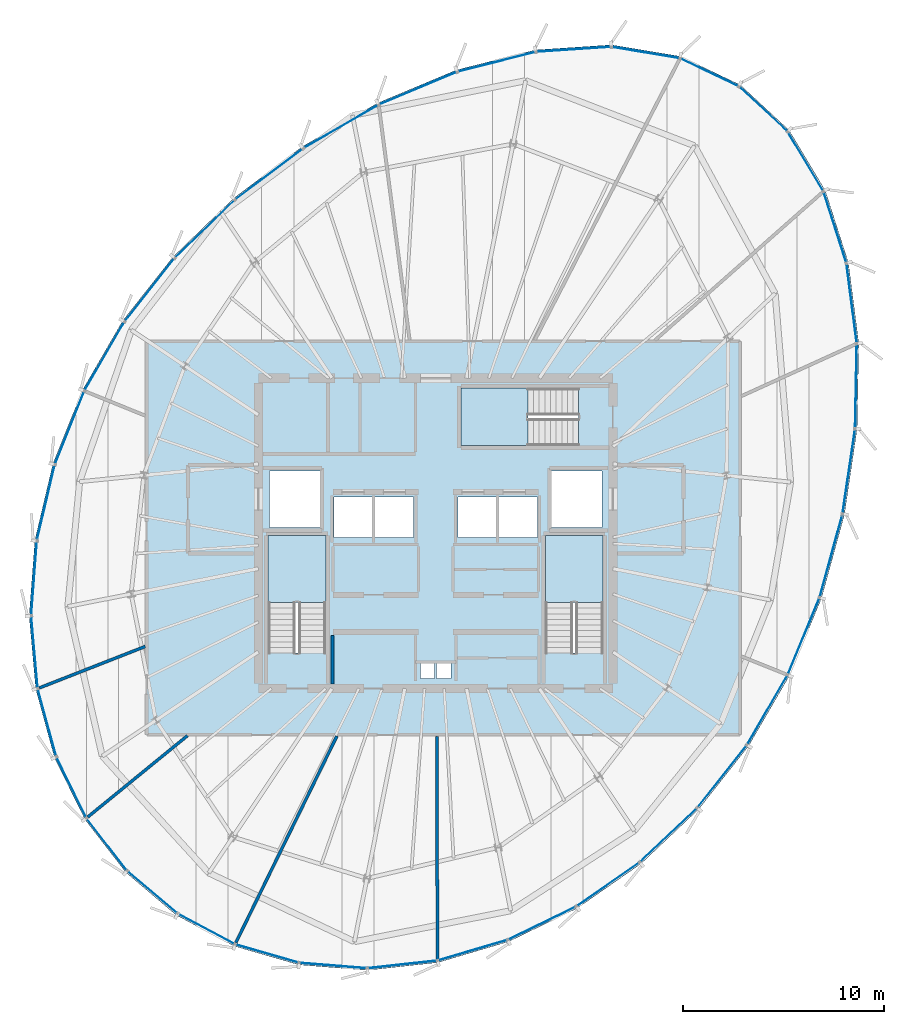
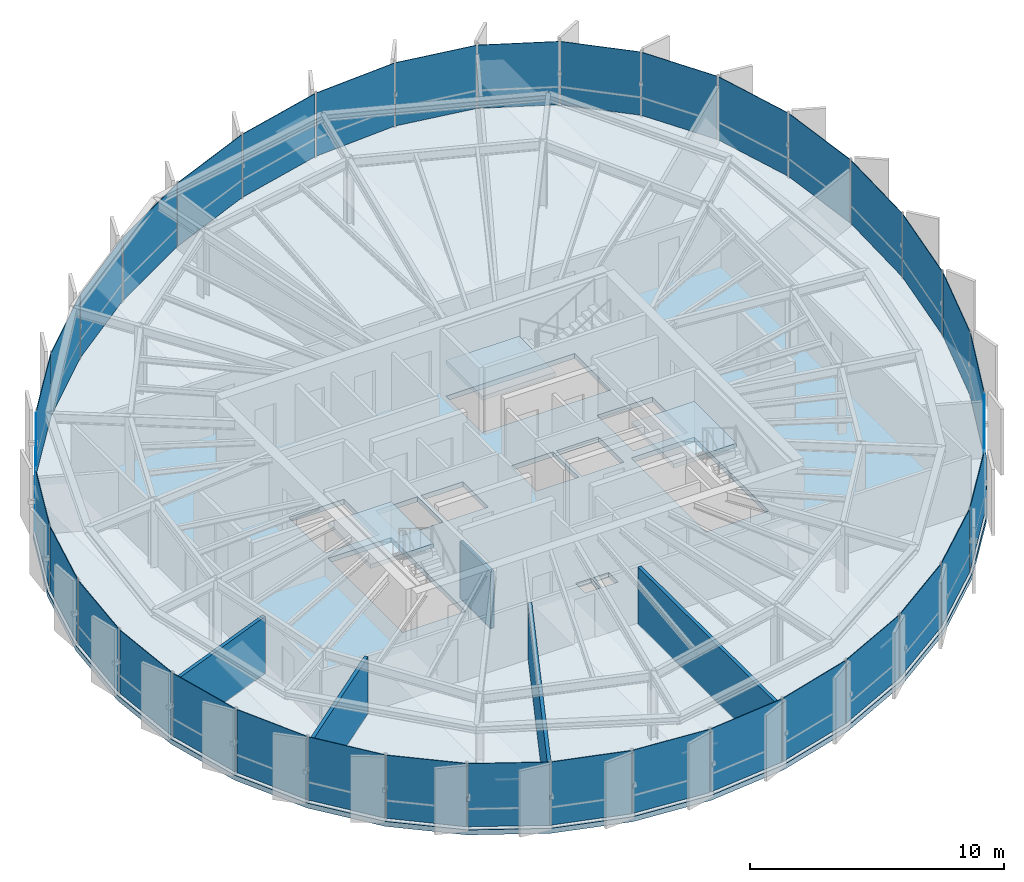
# One storey, part 27 of 34: 36 plates, 5 walls, 4 slabs, 9 elements without a shape of their own.
"""IFC4 building model written with IfcOpenShell, lengths in metres."""

from ifc_helpers import new_model, si_unit, direction, frame, frame_2d, origin, origin_2d, place, context, subcontext, project, spatial, polyline, rectangle, outline, extrude, source, transform, mapped, material, layer, layer_set, type_object, element, aggregate, save


model = new_model("IFC4")

# Units and contexts
model_context = context("Model", 3, precision=1e-05, world=origin(), true_north=direction((0.0, 1.0)))
body_context = subcontext(model_context, "Body", "Model", "MODEL_VIEW")
ifc_project = project(units=[si_unit("LENGTHUNIT", "METRE"), si_unit("AREAUNIT", "SQUARE_METRE"), si_unit("VOLUMEUNIT", "CUBIC_METRE"), si_unit("PLANEANGLEUNIT", "RADIAN"), si_unit("MASSUNIT", "GRAM", prefix="KILO"), si_unit("THERMODYNAMICTEMPERATUREUNIT", "KELVIN")], contexts=[model_context])

# Site, building, storey
site_placement = place(None, origin())
site = spatial("IfcSite", under=ifc_project, at=site_placement, CompositionType="ELEMENT")
building_placement = place(site_placement, origin())
building = spatial("IfcBuilding", under=site, at=building_placement, Name="Kethvar Cultural Tower", CompositionType="ELEMENT")
storey_placement = place(building_placement, frame((0.0, 0.0, 259.449951171875)))
storey = spatial("IfcBuildingStorey", under=building, at=storey_placement, Name="L68", CompositionType="ELEMENT", Elevation=259.449951171875)

# Stair, slab
ifc_material_1 = material(Name="Concrete C40/50", Category="concrete")
stair_type = type_object("IfcStairType", Name="ST-DOGLEG-135", PredefinedType="HALF_TURN_STAIR", material=ifc_material_1)
stair_1_placement = place(storey_placement, origin())
stair_1 = element("IfcStair", 1, at=stair_1_placement, inside=storey, type_object=stair_type, Name="L68 Core Exit Stair 1", PredefinedType="HALF_TURN_STAIR")
ifc_layer_1 = layer(ifc_material_1, 0.199951171875, Name="Concrete C40/50", Category="concrete")
ifc_layer_set_1 = layer_set([ifc_layer_1], Name="Concrete C40/50 (200 mm)")
slab_type_1 = type_object("IfcSlabType", Name="SL-STAIR-LANDING-200", PredefinedType="LANDING", material=ifc_layer_set_1)
slab_1_placement = place(storey_placement, frame((0.0, 0.0, 1.525146484375)))
slab_1 = element("IfcSlab", 2, at=slab_1_placement, type_object=slab_type_1, Name="ST-01 landing 1", PredefinedType="LANDING", context=body_context, shape_type="SweptSolid", body=[
    extrude(outline(polyline([(41.35009765625, 24.3701171875), (41.35009765625, 27.699951171875), (38.489990234375, 27.699951171875), (38.489990234375, 24.3701171875), (41.35009765625, 24.3701171875)])), origin(), (0.0, 0.0, 1.0), 0.199951171875),
])
aggregate(stair_1, [slab_1])

stair_2_placement = place(storey_placement, origin())
stair_2 = element("IfcStair", 3, at=stair_2_placement, inside=storey, type_object=stair_type, Name="L68 Core Exit Stair 2", PredefinedType="HALF_TURN_STAIR")
slab_2_placement = place(storey_placement, frame((0.0, 0.0, 1.525146484375)))
slab_2 = element("IfcSlab", 4, at=slab_2_placement, type_object=slab_type_1, Name="ST-02 landing 1", PredefinedType="LANDING", context=body_context, shape_type="SweptSolid", body=[
    extrude(outline(polyline([(55.110107421875, 24.3701171875), (55.110107421875, 27.699951171875), (52.25, 27.699951171875), (52.25, 24.3701171875), (55.110107421875, 24.3701171875)])), origin(), (0.0, 0.0, 1.0), 0.199951171875),
])
aggregate(stair_2, [slab_2])

stair_3_placement = place(storey_placement, origin())
stair_3 = element("IfcStair", 5, at=stair_3_placement, inside=storey, type_object=stair_type, Name="L68 Core Exit Stair 3", PredefinedType="HALF_TURN_STAIR")
slab_3_placement = place(storey_placement, frame((0.0, 0.0, 1.525146484375)))
slab_3 = element("IfcSlab", 6, at=slab_3_placement, type_object=slab_type_1, Name="ST-03 landing 1", PredefinedType="LANDING", context=body_context, shape_type="SweptSolid", body=[
    extrude(outline(polyline([(51.3798828125, 35.010009765625), (48.050048828125, 35.010009765625), (48.050048828125, 32.14990234375), (51.3798828125, 32.14990234375), (51.3798828125, 35.010009765625)])), origin(), (0.0, 0.0, 1.0), 0.199951171875),
])
aggregate(stair_3, [slab_3])

# Slab
ifc_layer_2 = layer(ifc_material_1, 0.239990234375, Name="Concrete C40/50", Category="concrete")
ifc_layer_set_2 = layer_set([ifc_layer_2], Name="Concrete C40/50 (240 mm)")
slab_type_2 = type_object("IfcSlabType", Name="SL-TOW-240", PredefinedType="FLOOR", material=ifc_layer_set_2)
slab_4_placement = place(storey_placement, frame((0.0, 0.0, -0.239990234375)))
element("IfcSlab", 7, at=slab_4_placement, inside=storey, type_object=slab_type_2, Name="L68 Structural Floor Slab", PredefinedType="FLOOR", context=body_context, shape_type="SweptSolid", body=[
    extrude(outline(polyline([(61.92724609375, 50.05908203125), (58.949462890625, 51.480224609375), (55.51318359375, 52.050537109375), (51.7548828125, 51.7998046875), (47.834716796875, 50.802734375), (43.92236328125, 49.164794921875), (40.182861328125, 47.00341796875), (36.76025390625, 44.428955078125), (33.765380859375, 41.52978515625), (31.2646484375, 38.35791015625), (29.264404296875, 34.906494140625), (27.796875, 31.239501953125), (26.906494140625, 27.468017578125), (26.620849609375, 23.70654296875), (26.9482421875, 20.0693359375), (27.87890625, 16.6669921875), (29.384521484375, 13.603271484375), (31.419189453125, 10.970703125), (33.921142578125, 8.849365234375), (36.814453125, 7.303955078125), (40.01123046875, 6.381103515625), (43.414306640625, 6.109375), (46.920166015625, 6.49658203125), (50.42236328125, 7.531005859375), (53.814453125, 9.181396484375), (56.99365234375, 11.3974609375), (59.86279296875, 14.11181640625), (62.335205078125, 17.2421875), (64.364013671875, 20.73486328125), (65.95703125, 24.5869140625), (67.0908203125, 28.716796875), (67.723876953125, 32.989501953125), (67.806396484375, 37.229736328125), (67.290283203125, 41.241943359375), (66.14013671875, 44.82861328125), (64.3447265625, 47.8134765625), (61.92724609375, 50.05908203125)]), holes=[polyline([(38.489990234375, 21.85009765625), (38.489990234375, 27.699951171875), (41.35009765625, 27.699951171875), (41.35009765625, 21.85009765625), (38.489990234375, 21.85009765625)]), polyline([(52.25, 21.85009765625), (52.25, 27.699951171875), (55.110107421875, 27.699951171875), (55.110107421875, 21.85009765625), (52.25, 21.85009765625)]), polyline([(53.89990234375, 32.14990234375), (48.050048828125, 32.14990234375), (48.050048828125, 35.010009765625), (53.89990234375, 35.010009765625), (53.89990234375, 32.14990234375)]), polyline([(41.75, 29.60009765625), (43.64990234375, 29.60009765625), (43.64990234375, 27.60009765625), (41.75, 27.60009765625), (41.75, 29.60009765625)]), polyline([(43.800048828125, 29.60009765625), (45.699951171875, 29.60009765625), (45.699951171875, 27.60009765625), (43.800048828125, 27.60009765625), (43.800048828125, 29.60009765625)]), polyline([(47.89990234375, 29.60009765625), (49.800048828125, 29.60009765625), (49.800048828125, 27.60009765625), (47.89990234375, 27.60009765625), (47.89990234375, 29.60009765625)]), polyline([(49.949951171875, 29.60009765625), (51.85009765625, 29.60009765625), (51.85009765625, 27.60009765625), (49.949951171875, 27.60009765625), (49.949951171875, 29.60009765625)]), polyline([(38.550048828125, 30.89990234375), (41.050048828125, 30.89990234375), (41.050048828125, 28.10009765625), (38.550048828125, 28.10009765625), (38.550048828125, 30.89990234375)]), polyline([(52.550048828125, 30.89990234375), (55.050048828125, 30.89990234375), (55.050048828125, 28.10009765625), (52.550048828125, 28.10009765625), (52.550048828125, 30.89990234375)]), polyline([(46.050048828125, 21.35009765625), (46.75, 21.35009765625), (46.75, 20.60009765625), (46.050048828125, 20.60009765625), (46.050048828125, 21.35009765625)]), polyline([(46.85009765625, 21.35009765625), (47.550048828125, 21.35009765625), (47.550048828125, 20.60009765625), (46.85009765625, 20.60009765625), (46.85009765625, 21.35009765625)])]), origin(), (0.0, 0.0, 1.0), 0.239990234375),
])

# Curtain wall, plate
ifc_material_2 = material(Name="Aluminium 6063-T6", Category="aluminium")
ifc_layer_3 = layer(ifc_material_2, 0.179931640625, Name="Aluminium 6063-T6", Category="aluminium")
ifc_layer_set_3 = layer_set([ifc_layer_3], Name="Aluminium 6063-T6 (180 mm)")
curtain_wall_type = type_object("IfcCurtainWallType", Name="CW-SYS-05-Z56", PredefinedType="NOTDEFINED", material=ifc_layer_set_3)
curtain_wall_1_placement = place(storey_placement, origin())
curtain_wall_1 = element("IfcCurtainWall", 8, at=curtain_wall_1_placement, inside=storey, type_object=curtain_wall_type, Name="L68 Curtain Wall Run 01", PredefinedType="NOTDEFINED")
ifc_material_3 = material(Name="Insulated Low-E Solar Glass", Category="glass")
ifc_layer_4 = layer(ifc_material_3, 0.028076171875, Name="Insulated Low-E Solar Glass", Category="glass")
ifc_layer_set_4 = layer_set([ifc_layer_4], Name="Insulated Low-E Solar Glass (28 mm)")
plate_type = type_object("IfcPlateType", Name="CW-SYS-05-Z56-PNL", PredefinedType="CURTAIN_PANEL", material=ifc_layer_set_4)
shared_shape_1 = source(origin(), body_context, "Body", "SweptSolid", [
    extrude(rectangle(XDim=3.22021484375, YDim=0.028076171875, at=origin_2d()), origin(), (0.0, 0.0, 1.0), 3.030029296875),
])
plate_1_placement = place(storey_placement, frame((60.395263671875, 50.67919921875, 0.08984375), z_axis=(0.0, 0.0, 1.0), x_axis=(-0.902480063701, 0.430731627144, 0.0)))
plate_1 = element("IfcPlate", 9, at=plate_1_placement, type_object=plate_type, Name="CW-L68-R01 Vision Glazing Panel 1", PredefinedType="CURTAIN_PANEL", context=body_context, shape_type="MappedRepresentation", body=[
    mapped(shared_shape_1, transform((0.0, 0.0, 0.0), scale=1.0)),
])

curtain_wall_2_placement = place(storey_placement, origin())
curtain_wall_2 = element("IfcCurtainWall", 10, at=curtain_wall_2_placement, inside=storey, type_object=curtain_wall_type, Name="L68 Curtain Wall Run 06", PredefinedType="NOTDEFINED")
plate_2_placement = place(storey_placement, frame((63.06787109375, 48.863037109375, 0.08984375), z_axis=(0.0, 0.0, 1.0), x_axis=(-0.732709208404, 0.680541854643, 0.0)))
plate_2 = element("IfcPlate", 11, at=plate_2_placement, type_object=plate_type, Name="CW-L68-R06 Vision Glazing Panel 6", PredefinedType="CURTAIN_PANEL", context=body_context, shape_type="MappedRepresentation", body=[
    mapped(shared_shape_1, transform((0.0, 0.0, 0.0), scale=1.0)),
])

# Plate
shared_shape_2 = source(origin(), body_context, "Body", "SweptSolid", [
    extrude(rectangle(XDim=3.404052734375, YDim=0.028076171875, at=origin_2d()), origin(), (0.0, 0.0, 1.0), 3.030029296875),
])
plate_3_placement = place(storey_placement, frame((57.215087890625, 51.666748046875, 0.08984375), z_axis=(0.0, 0.0, 1.0), x_axis=(-0.9865008033, 0.163756419994, 0.0)))
plate_3 = element("IfcPlate", 12, at=plate_3_placement, type_object=plate_type, Name="CW-L68-R01 Vision Glazing Panel 2", PredefinedType="CURTAIN_PANEL", context=body_context, shape_type="MappedRepresentation", body=[
    mapped(shared_shape_2, transform((0.0, 0.0, 0.0), scale=1.0)),
])

shared_shape_3 = source(origin(), body_context, "Body", "SweptSolid", [
    extrude(rectangle(XDim=3.6875, YDim=0.028076171875, at=origin_2d()), origin(), (0.0, 0.0, 1.0), 3.030029296875),
])
plate_4_placement = place(storey_placement, frame((53.640869140625, 51.825439453125, 0.08984375), z_axis=(0.0, 0.0, 1.0), x_axis=(-0.997779436172, -0.066604780247, 0.0)))
plate_4 = element("IfcPlate", 13, at=plate_4_placement, type_object=plate_type, Name="CW-L68-R01 Vision Glazing Panel 3", PredefinedType="CURTAIN_PANEL", context=body_context, shape_type="MappedRepresentation", body=[
    mapped(shared_shape_3, transform((0.0, 0.0, 0.0), scale=1.0)),
])

plate_5_placement = place(storey_placement, frame((66.6201171875, 43.0048828125, 0.08984375), z_axis=(0.0, 0.0, 1.0), x_axis=(-0.30536293049, 0.952236042525, 0.0)))
plate_5 = element("IfcPlate", 14, at=plate_5_placement, type_object=plate_type, Name="CW-L68-R06 Vision Glazing Panel 4", PredefinedType="CURTAIN_PANEL", context=body_context, shape_type="MappedRepresentation", body=[
    mapped(shared_shape_3, transform((0.0, 0.0, 0.0), scale=1.0)),
])

shared_shape_4 = source(origin(), body_context, "Body", "SweptSolid", [
    extrude(rectangle(XDim=3.966064453125, YDim=0.028076171875, at=origin_2d()), origin(), (0.0, 0.0, 1.0), 3.030029296875),
])
plate_6_placement = place(storey_placement, frame((49.819580078125, 51.204345703125, 0.08984375), z_axis=(0.0, 0.0, 1.0), x_axis=(-0.969149228893, -0.24647468863, 0.0)))
plate_6 = element("IfcPlate", 15, at=plate_6_placement, type_object=plate_type, Name="CW-L68-R01 Vision Glazing Panel 4", PredefinedType="CURTAIN_PANEL", context=body_context, shape_type="MappedRepresentation", body=[
    mapped(shared_shape_4, transform((0.0, 0.0, 0.0), scale=1.0)),
])

plate_7_placement = place(storey_placement, frame((67.44921875, 39.22314453125, 0.08984375), z_axis=(0.0, 0.0, 1.0), x_axis=(-0.127583945876, 0.991827775753, 0.0)))
plate_7 = element("IfcPlate", 16, at=plate_7_placement, type_object=plate_type, Name="CW-L68-R06 Vision Glazing Panel 3", PredefinedType="CURTAIN_PANEL", context=body_context, shape_type="MappedRepresentation", body=[
    mapped(shared_shape_4, transform((0.0, 0.0, 0.0), scale=1.0)),
])

shared_shape_5 = source(origin(), body_context, "Body", "SweptSolid", [
    extrude(rectangle(XDim=4.162109375, YDim=0.028076171875, at=origin_2d()), origin(), (0.0, 0.0, 1.0), 3.030029296875),
])
plate_8_placement = place(storey_placement, frame((45.9169921875, 49.8916015625, 0.08984375), z_axis=(0.0, 0.0, 1.0), x_axis=(-0.92243028819, -0.386163648508, 0.0)))
plate_8 = element("IfcPlate", 17, at=plate_8_placement, type_object=plate_type, Name="CW-L68-R01 Vision Glazing Panel 5", PredefinedType="CURTAIN_PANEL", context=body_context, shape_type="MappedRepresentation", body=[
    mapped(shared_shape_5, transform((0.0, 0.0, 0.0), scale=1.0)),
])

plate_9_placement = place(storey_placement, frame((67.665283203125, 35.111572265625, 0.08984375), z_axis=(0.0, 0.0, 1.0), x_axis=(0.01945919288, 0.99981065198, 0.0)))
plate_9 = element("IfcPlate", 18, at=plate_9_placement, type_object=plate_type, Name="CW-L68-R06 Vision Glazing Panel 2", PredefinedType="CURTAIN_PANEL", context=body_context, shape_type="MappedRepresentation", body=[
    mapped(shared_shape_5, transform((0.0, 0.0, 0.0), scale=1.0)),
])

shared_shape_6 = source(origin(), body_context, "Body", "SweptSolid", [
    extrude(rectangle(XDim=4.239990234375, YDim=0.028076171875, at=origin_2d()), origin(), (0.0, 0.0, 1.0), 3.030029296875),
])
plate_10_placement = place(storey_placement, frame((42.102783203125, 47.99755859375, 0.08984375), z_axis=(0.0, 0.0, 1.0), x_axis=(-0.865780954287, -0.50042316013, 0.0)))
plate_10 = element("IfcPlate", 19, at=plate_10_placement, type_object=plate_type, Name="CW-L68-R01 Vision Glazing Panel 6", PredefinedType="CURTAIN_PANEL", context=body_context, shape_type="MappedRepresentation", body=[
    mapped(shared_shape_6, transform((0.0, 0.0, 0.0), scale=1.0)),
])

aggregate(curtain_wall_1, [plate_1, plate_3, plate_4, plate_6, plate_8, plate_10])

plate_11_placement = place(storey_placement, frame((67.308349609375, 30.867919921875, 0.08984375), z_axis=(0.0, 0.0, 1.0), x_axis=(0.146583725552, 0.989198266984, 0.0)))
plate_11 = element("IfcPlate", 20, at=plate_11_placement, type_object=plate_type, Name="CW-L68-R06 Vision Glazing Panel 1", PredefinedType="CURTAIN_PANEL", context=body_context, shape_type="MappedRepresentation", body=[
    mapped(shared_shape_6, transform((0.0, 0.0, 0.0), scale=1.0)),
])

# Curtain wall, plate
curtain_wall_3_placement = place(storey_placement, origin())
curtain_wall_3 = element("IfcCurtainWall", 21, at=curtain_wall_3_placement, inside=storey, type_object=curtain_wall_type, Name="L68 Curtain Wall Run 02", PredefinedType="NOTDEFINED")
shared_shape_7 = source(origin(), body_context, "Body", "SweptSolid", [
    extrude(rectangle(XDim=4.20361328125, YDim=0.028076171875, at=origin_2d()), origin(), (0.0, 0.0, 1.0), 3.030029296875),
])
plate_12_placement = place(storey_placement, frame((38.53173828125, 45.63623046875, 0.08984375), z_axis=(0.0, 0.0, 1.0), x_axis=(-0.799139405107, -0.601145748721, 0.0)))
plate_12 = element("IfcPlate", 22, at=plate_12_placement, type_object=plate_type, Name="CW-L68-R02 Vision Glazing Panel 1", PredefinedType="CURTAIN_PANEL", context=body_context, shape_type="MappedRepresentation", body=[
    mapped(shared_shape_7, transform((0.0, 0.0, 0.0), scale=1.0)),
])

curtain_wall_4_placement = place(storey_placement, origin())
curtain_wall_4 = element("IfcCurtainWall", 23, at=curtain_wall_4_placement, inside=storey, type_object=curtain_wall_type, Name="L68 Curtain Wall Run 05", PredefinedType="NOTDEFINED")
plate_13_placement = place(storey_placement, frame((66.427490234375, 26.678466796875, 0.08984375), z_axis=(0.0, 0.0, 1.0), x_axis=(0.264731515159, 0.964322158245, 0.0)))
plate_13 = element("IfcPlate", 24, at=plate_13_placement, type_object=plate_type, Name="CW-L68-R05 Vision Glazing Panel 6", PredefinedType="CURTAIN_PANEL", context=body_context, shape_type="MappedRepresentation", body=[
    mapped(shared_shape_7, transform((0.0, 0.0, 0.0), scale=1.0)),
])

# Plate
shared_shape_8 = source(origin(), body_context, "Body", "SweptSolid", [
    extrude(rectangle(XDim=4.089111328125, YDim=0.028076171875, at=origin_2d()), origin(), (0.0, 0.0, 1.0), 3.030029296875),
])
plate_14_placement = place(storey_placement, frame((35.33251953125, 42.907470703125, 0.08984375), z_axis=(0.0, 0.0, 1.0), x_axis=(-0.718490578396, -0.695536691165, 0.0)))
plate_14 = element("IfcPlate", 25, at=plate_14_placement, type_object=plate_type, Name="CW-L68-R02 Vision Glazing Panel 2", PredefinedType="CURTAIN_PANEL", context=body_context, shape_type="MappedRepresentation", body=[
    mapped(shared_shape_8, transform((0.0, 0.0, 0.0), scale=1.0)),
])

plate_15_placement = place(storey_placement, frame((65.068115234375, 22.698974609375, 0.08984375), z_axis=(0.0, 0.0, 1.0), x_axis=(0.382183509445, 0.924086448937, 0.0)))
plate_15 = element("IfcPlate", 26, at=plate_15_placement, type_object=plate_type, Name="CW-L68-R05 Vision Glazing Panel 5", PredefinedType="CURTAIN_PANEL", context=body_context, shape_type="MappedRepresentation", body=[
    mapped(shared_shape_8, transform((0.0, 0.0, 0.0), scale=1.0)),
])

shared_shape_9 = source(origin(), body_context, "Body", "SweptSolid", [
    extrude(rectangle(XDim=3.9599609375, YDim=0.028076171875, at=origin_2d()), origin(), (0.0, 0.0, 1.0), 3.030029296875),
])
plate_16_placement = place(storey_placement, frame((32.593505859375, 39.8818359375, 0.08984375), z_axis=(0.0, 0.0, 1.0), x_axis=(-0.619121361665, -0.785295319947, 0.0)))
plate_16 = element("IfcPlate", 27, at=plate_16_placement, type_object=plate_type, Name="CW-L68-R02 Vision Glazing Panel 3", PredefinedType="CURTAIN_PANEL", context=body_context, shape_type="MappedRepresentation", body=[
    mapped(shared_shape_9, transform((0.0, 0.0, 0.0), scale=1.0)),
])

plate_17_placement = place(storey_placement, frame((63.26318359375, 19.038818359375, 0.08984375), z_axis=(0.0, 0.0, 1.0), x_axis=(0.50225044097, 0.864722206576, 0.0)))
plate_17 = element("IfcPlate", 28, at=plate_17_placement, type_object=plate_type, Name="CW-L68-R05 Vision Glazing Panel 4", PredefinedType="CURTAIN_PANEL", context=body_context, shape_type="MappedRepresentation", body=[
    mapped(shared_shape_9, transform((0.0, 0.0, 0.0), scale=1.0)),
])

shared_shape_10 = source(origin(), body_context, "Body", "SweptSolid", [
    extrude(rectangle(XDim=3.909912109375, YDim=0.028076171875, at=origin_2d()), origin(), (0.0, 0.0, 1.0), 3.030029296875),
])
plate_18_placement = place(storey_placement, frame((30.35107421875, 36.58203125, 0.08984375), z_axis=(0.0, 0.0, 1.0), x_axis=(-0.501480537372, -0.86516892607, 0.0)))
plate_18 = element("IfcPlate", 29, at=plate_18_placement, type_object=plate_type, Name="CW-L68-R02 Vision Glazing Panel 4", PredefinedType="CURTAIN_PANEL", context=body_context, shape_type="MappedRepresentation", body=[
    mapped(shared_shape_10, transform((0.0, 0.0, 0.0), scale=1.0)),
])

shared_shape_11 = source(origin(), body_context, "Body", "SweptSolid", [
    extrude(rectangle(XDim=3.87060546875, YDim=0.028076171875, at=origin_2d()), origin(), (0.0, 0.0, 1.0), 3.030029296875),
])
plate_19_placement = place(storey_placement, frame((28.623291015625, 33.035888671875, 0.08984375), z_axis=(0.0, 0.0, 1.0), x_axis=(-0.371529881241, -0.928420996825, 0.0)))
plate_19 = element("IfcPlate", 30, at=plate_19_placement, type_object=plate_type, Name="CW-L68-R02 Vision Glazing Panel 5", PredefinedType="CURTAIN_PANEL", context=body_context, shape_type="MappedRepresentation", body=[
    mapped(shared_shape_11, transform((0.0, 0.0, 0.0), scale=1.0)),
])

plate_20_placement = place(storey_placement, frame((58.359619140625, 12.827392578125, 0.08984375), z_axis=(0.0, 0.0, 1.0), x_axis=(0.726430751765, 0.687239669177, 0.0)))
plate_20 = element("IfcPlate", 31, at=plate_20_placement, type_object=plate_type, Name="CW-L68-R05 Vision Glazing Panel 2", PredefinedType="CURTAIN_PANEL", context=body_context, shape_type="MappedRepresentation", body=[
    mapped(shared_shape_11, transform((0.0, 0.0, 0.0), scale=1.0)),
])

shared_shape_12 = source(origin(), body_context, "Body", "SweptSolid", [
    extrude(rectangle(XDim=3.7958984375, YDim=0.028076171875, at=origin_2d()), origin(), (0.0, 0.0, 1.0), 3.030029296875),
])
plate_21_placement = place(storey_placement, frame((27.448974609375, 29.330810546875, 0.08984375), z_axis=(0.0, 0.0, 1.0), x_axis=(-0.22972700621, -0.973255106649, 0.0)))
plate_21 = element("IfcPlate", 32, at=plate_21_placement, type_object=plate_type, Name="CW-L68-R02 Vision Glazing Panel 6", PredefinedType="CURTAIN_PANEL", context=body_context, shape_type="MappedRepresentation", body=[
    mapped(shared_shape_12, transform((0.0, 0.0, 0.0), scale=1.0)),
])

aggregate(curtain_wall_3, [plate_12, plate_14, plate_16, plate_18, plate_19, plate_21])

plate_22_placement = place(storey_placement, frame((55.346923828125, 10.371337890625, 0.08984375), z_axis=(0.0, 0.0, 1.0), x_axis=(0.820361523196, 0.57184523366, 0.0)))
plate_22 = element("IfcPlate", 33, at=plate_22_placement, type_object=plate_type, Name="CW-L68-R05 Vision Glazing Panel 1", PredefinedType="CURTAIN_PANEL", context=body_context, shape_type="MappedRepresentation", body=[
    mapped(shared_shape_12, transform((0.0, 0.0, 0.0), scale=1.0)),
])

# Curtain wall, plate
curtain_wall_5_placement = place(storey_placement, origin())
curtain_wall_5 = element("IfcCurtainWall", 34, at=curtain_wall_5_placement, inside=storey, type_object=curtain_wall_type, Name="L68 Curtain Wall Run 03", PredefinedType="NOTDEFINED")
shared_shape_13 = source(origin(), body_context, "Body", "SweptSolid", [
    extrude(rectangle(XDim=3.693115234375, YDim=0.028076171875, at=origin_2d()), origin(), (0.0, 0.0, 1.0), 3.030029296875),
])
plate_23_placement = place(storey_placement, frame((26.863525390625, 25.57958984375, 0.08984375), z_axis=(0.0, 0.0, 1.0), x_axis=(-0.075727084685, -0.997128581801, 0.0)))
plate_23 = element("IfcPlate", 35, at=plate_23_placement, type_object=plate_type, Name="CW-L68-R03 Vision Glazing Panel 1", PredefinedType="CURTAIN_PANEL", context=body_context, shape_type="MappedRepresentation", body=[
    mapped(shared_shape_13, transform((0.0, 0.0, 0.0), scale=1.0)),
])

curtain_wall_6_placement = place(storey_placement, origin())
curtain_wall_6 = element("IfcCurtainWall", 36, at=curtain_wall_6_placement, inside=storey, type_object=curtain_wall_type, Name="L68 Curtain Wall Run 04", PredefinedType="NOTDEFINED")
plate_24_placement = place(storey_placement, frame((52.07470703125, 8.446044921875, 0.08984375), z_axis=(0.0, 0.0, 1.0), x_axis=(0.899222074043, 0.437492470283, 0.0)))
plate_24 = element("IfcPlate", 37, at=plate_24_placement, type_object=plate_type, Name="CW-L68-R04 Vision Glazing Panel 6", PredefinedType="CURTAIN_PANEL", context=body_context, shape_type="MappedRepresentation", body=[
    mapped(shared_shape_13, transform((0.0, 0.0, 0.0), scale=1.0)),
])

# Plate
shared_shape_14 = source(origin(), body_context, "Body", "SweptSolid", [
    extrude(rectangle(XDim=3.57275390625, YDim=0.028076171875, at=origin_2d()), origin(), (0.0, 0.0, 1.0), 3.030029296875),
])
plate_25_placement = place(storey_placement, frame((26.884033203125, 21.89697265625, 0.08984375), z_axis=(0.0, 0.0, 1.0), x_axis=(0.089659175206, -0.995972505796, 0.0)))
plate_25 = element("IfcPlate", 38, at=plate_25_placement, type_object=plate_type, Name="CW-L68-R03 Vision Glazing Panel 2", PredefinedType="CURTAIN_PANEL", context=body_context, shape_type="MappedRepresentation", body=[
    mapped(shared_shape_14, transform((0.0, 0.0, 0.0), scale=1.0)),
])

plate_26_placement = place(storey_placement, frame((48.642822265625, 7.109619140625, 0.08984375), z_axis=(0.0, 0.0, 1.0), x_axis=(0.959037560247, 0.283278940331, 0.0)))
plate_26 = element("IfcPlate", 39, at=plate_26_placement, type_object=plate_type, Name="CW-L68-R04 Vision Glazing Panel 5", PredefinedType="CURTAIN_PANEL", context=body_context, shape_type="MappedRepresentation", body=[
    mapped(shared_shape_14, transform((0.0, 0.0, 0.0), scale=1.0)),
])

shared_shape_15 = source(origin(), body_context, "Body", "SweptSolid", [
    extrude(rectangle(XDim=3.447998046875, YDim=0.028076171875, at=origin_2d()), origin(), (0.0, 0.0, 1.0), 3.030029296875),
])
plate_27_placement = place(storey_placement, frame((27.510009765625, 18.39453125, 0.08984375), z_axis=(0.0, 0.0, 1.0), x_axis=(0.263839380399, -0.964566628777, 0.0)))
plate_27 = element("IfcPlate", 40, at=plate_27_placement, type_object=plate_type, Name="CW-L68-R03 Vision Glazing Panel 3", PredefinedType="CURTAIN_PANEL", context=body_context, shape_type="MappedRepresentation", body=[
    mapped(shared_shape_15, transform((0.0, 0.0, 0.0), scale=1.0)),
])

plate_28_placement = place(storey_placement, frame((45.15625, 6.40234375, 0.08984375), z_axis=(0.0, 0.0, 1.0), x_axis=(0.9939571244, 0.109769006807, 0.0)))
plate_28 = element("IfcPlate", 41, at=plate_28_placement, type_object=plate_type, Name="CW-L68-R04 Vision Glazing Panel 4", PredefinedType="CURTAIN_PANEL", context=body_context, shape_type="MappedRepresentation", body=[
    mapped(shared_shape_15, transform((0.0, 0.0, 0.0), scale=1.0)),
])

shared_shape_16 = source(origin(), body_context, "Body", "SweptSolid", [
    extrude(rectangle(XDim=3.334716796875, YDim=0.028076171875, at=origin_2d()), origin(), (0.0, 0.0, 1.0), 3.030029296875),
])
plate_29_placement = place(storey_placement, frame((28.721435546875, 15.17919921875, 0.08984375), z_axis=(0.0, 0.0, 1.0), x_axis=(0.441004660349, -0.897504813107, 0.0)))
plate_29 = element("IfcPlate", 42, at=plate_29_placement, type_object=plate_type, Name="CW-L68-R03 Vision Glazing Panel 4", PredefinedType="CURTAIN_PANEL", context=body_context, shape_type="MappedRepresentation", body=[
    mapped(shared_shape_16, transform((0.0, 0.0, 0.0), scale=1.0)),
])

plate_30_placement = place(storey_placement, frame((41.720703125, 6.344970703125, 0.08984375), z_axis=(0.0, 0.0, 1.0), x_axis=(0.996823514521, -0.079642205503, 0.0)))
plate_30 = element("IfcPlate", 43, at=plate_30_placement, type_object=plate_type, Name="CW-L68-R04 Vision Glazing Panel 3", PredefinedType="CURTAIN_PANEL", context=body_context, shape_type="MappedRepresentation", body=[
    mapped(shared_shape_16, transform((0.0, 0.0, 0.0), scale=1.0)),
])

shared_shape_17 = source(origin(), body_context, "Body", "SweptSolid", [
    extrude(rectangle(XDim=3.248046875, YDim=0.028076171875, at=origin_2d()), origin(), (0.0, 0.0, 1.0), 3.030029296875),
])
plate_31_placement = place(storey_placement, frame((30.48095703125, 12.34814453125, 0.08984375), z_axis=(0.0, 0.0, 1.0), x_axis=(0.611527040186, -0.791223532967, 0.0)))
plate_31 = element("IfcPlate", 44, at=plate_31_placement, type_object=plate_type, Name="CW-L68-R03 Vision Glazing Panel 5", PredefinedType="CURTAIN_PANEL", context=body_context, shape_type="MappedRepresentation", body=[
    mapped(shared_shape_17, transform((0.0, 0.0, 0.0), scale=1.0)),
])

plate_32_placement = place(storey_placement, frame((38.440673828125, 6.938720703125, 0.08984375), z_axis=(0.0, 0.0, 1.0), x_axis=(0.960779154158, -0.277314653302, 0.0)))
plate_32 = element("IfcPlate", 45, at=plate_32_placement, type_object=plate_type, Name="CW-L68-R04 Vision Glazing Panel 2", PredefinedType="CURTAIN_PANEL", context=body_context, shape_type="MappedRepresentation", body=[
    mapped(shared_shape_17, transform((0.0, 0.0, 0.0), scale=1.0)),
])

shared_shape_18 = source(origin(), body_context, "Body", "SweptSolid", [
    extrude(rectangle(XDim=3.201171875, YDim=0.028076171875, at=origin_2d()), origin(), (0.0, 0.0, 1.0), 3.030029296875),
])
plate_33_placement = place(storey_placement, frame((32.73486328125, 9.986328125, 0.08984375), z_axis=(0.0, 0.0, 1.0), x_axis=(0.762747344282, -0.646696597169, 0.0)))
plate_33 = element("IfcPlate", 46, at=plate_33_placement, type_object=plate_type, Name="CW-L68-R03 Vision Glazing Panel 6", PredefinedType="CURTAIN_PANEL", context=body_context, shape_type="MappedRepresentation", body=[
    mapped(shared_shape_18, transform((0.0, 0.0, 0.0), scale=1.0)),
])

aggregate(curtain_wall_5, [plate_23, plate_25, plate_27, plate_29, plate_31, plate_33])

plate_34_placement = place(storey_placement, frame((35.414794921875, 8.164794921875, 0.08984375), z_axis=(0.0, 0.0, 1.0), x_axis=(0.882069314477, -0.471119649832, 0.0)))
plate_34 = element("IfcPlate", 47, at=plate_34_placement, type_object=plate_type, Name="CW-L68-R04 Vision Glazing Panel 1", PredefinedType="CURTAIN_PANEL", context=body_context, shape_type="MappedRepresentation", body=[
    mapped(shared_shape_18, transform((0.0, 0.0, 0.0), scale=1.0)),
])

aggregate(curtain_wall_6, [plate_34, plate_32, plate_30, plate_28, plate_26, plate_24])

shared_shape_19 = source(origin(), body_context, "Body", "SweptSolid", [
    extrude(rectangle(XDim=3.90966796875, YDim=0.028076171875, at=origin_2d()), origin(), (0.0, 0.0, 1.0), 3.030029296875),
])
plate_35_placement = place(storey_placement, frame((61.020751953125, 15.739013671875, 0.08984375), z_axis=(0.0, 0.0, 1.0), x_axis=(0.61982012174, 0.784743917903, 0.0)))
plate_35 = element("IfcPlate", 48, at=plate_35_placement, type_object=plate_type, Name="CW-L68-R05 Vision Glazing Panel 3", PredefinedType="CURTAIN_PANEL", context=body_context, shape_type="MappedRepresentation", body=[
    mapped(shared_shape_19, transform((0.0, 0.0, 0.0), scale=1.0)),
])

aggregate(curtain_wall_4, [plate_22, plate_20, plate_35, plate_17, plate_15, plate_13])

shared_shape_20 = source(origin(), body_context, "Body", "SweptSolid", [
    extrude(rectangle(XDim=3.40380859375, YDim=0.028076171875, at=origin_2d()), origin(), (0.0, 0.0, 1.0), 3.030029296875),
])
plate_36_placement = place(storey_placement, frame((65.15673828125, 46.26953125, 0.08984375), z_axis=(0.0, 0.0, 1.0), x_axis=(-0.515426992051, 0.856933495591, 0.0)))
plate_36 = element("IfcPlate", 49, at=plate_36_placement, type_object=plate_type, Name="CW-L68-R06 Vision Glazing Panel 5", PredefinedType="CURTAIN_PANEL", context=body_context, shape_type="MappedRepresentation", body=[
    mapped(shared_shape_20, transform((0.0, 0.0, 0.0), scale=1.0)),
])

aggregate(curtain_wall_2, [plate_11, plate_9, plate_7, plate_5, plate_36, plate_2])

# Walls
ifc_material_4 = material(Name="Gypsum Fireboard Partition")
ifc_layer_5 = layer(ifc_material_4, 0.14990234375, Name="Gypsum Fireboard Partition")
ifc_layer_set_5 = layer_set([ifc_layer_5], Name="Gypsum Fireboard Partition (150 mm)")
wall_type_1 = type_object("IfcWallType", Name="WL-FIRE-150", PredefinedType="PARTITIONING", material=ifc_layer_set_5)
wall_1_placement = place(storey_placement, frame((41.679931640625, 20.3349609375, 0.0), z_axis=(0.0, 0.0, 1.0), x_axis=(0.0, 1.0, 0.0)))
element("IfcWall", 50, at=wall_1_placement, inside=storey, type_object=wall_type_1, Name="L68 Reclaimed West Outer Wall", PredefinedType="PARTITIONING", context=body_context, shape_type="SweptSolid", body=[
    extrude(rectangle(XDim=2.39501953125, YDim=0.14990234375, at=frame_2d((1.197509765625, 0.0))), origin(), (0.0, 0.0, 1.0), 2.735107421875),
])
ifc_material_5 = material(Name="Gypsum Acoustic Partition")
ifc_layer_6 = layer(ifc_material_5, 0.14990234375, Name="Gypsum Acoustic Partition")
ifc_layer_set_6 = layer_set([ifc_layer_6], Name="Gypsum Acoustic Partition (150 mm)")
wall_type_2 = type_object("IfcWallType", Name="WL-PART-150", PredefinedType="PARTITIONING", material=ifc_layer_set_6)
wall_2_placement = place(storey_placement, frame((32.385498046875, 22.1865234375, 0.0), z_axis=(0.0, 0.0, 1.0), x_axis=(-0.931177682832, -0.36456566349, 0.0)))
element("IfcWall", 51, at=wall_2_placement, inside=storey, type_object=wall_type_2, Name="L68 Radial Partition Wall 01", PredefinedType="PARTITIONING", context=body_context, shape_type="SweptSolid", body=[
    extrude(rectangle(XDim=5.645263671875, YDim=0.14990234375, at=frame_2d((2.82275390625, 0.0))), origin(), (0.0, 0.0, 1.0), 2.735107421875),
])
wall_3_placement = place(storey_placement, frame((34.479248046875, 17.75634765625, 0.0), z_axis=(0.0, 0.0, 1.0), x_axis=(-0.77484776556, -0.632147878433, 0.0)))
element("IfcWall", 52, at=wall_3_placement, inside=storey, type_object=wall_type_2, Name="L68 Radial Partition Wall 02", PredefinedType="PARTITIONING", context=body_context, shape_type="SweptSolid", body=[
    extrude(rectangle(XDim=6.38330078125, YDim=0.14990234375, at=frame_2d((3.191650390625, 0.0))), origin(), (0.0, 0.0, 1.0), 2.735107421875),
])
wall_4_placement = place(storey_placement, frame((41.896484375, 17.735107421875, 0.0), z_axis=(0.0, 0.0, 1.0), x_axis=(-0.439308331491, -0.898336345632, 0.0)))
element("IfcWall", 53, at=wall_4_placement, inside=storey, type_object=wall_type_2, Name="L68 Radial Partition Wall 03", PredefinedType="PARTITIONING", context=body_context, shape_type="SweptSolid", body=[
    extrude(rectangle(XDim=11.414794921875, YDim=0.14990234375, at=frame_2d((5.70751953125, 0.0))), origin(), (0.0, 0.0, 1.0), 2.735107421875),
])
wall_5_placement = place(storey_placement, frame((46.856689453125, 17.72705078125, 0.0), z_axis=(0.0, 0.0, 1.0), x_axis=(0.00316097362, -0.99999500411, 0.0)))
element("IfcWall", 54, at=wall_5_placement, inside=storey, type_object=wall_type_2, Name="L68 Radial Partition Wall 04", PredefinedType="PARTITIONING", context=body_context, shape_type="SweptSolid", body=[
    extrude(rectangle(XDim=11.044677734375, YDim=0.14990234375, at=frame_2d((5.5224609375, 0.0))), origin(), (0.0, 0.0, 1.0), 2.735107421875),
])

save(model, "model.ifc")
